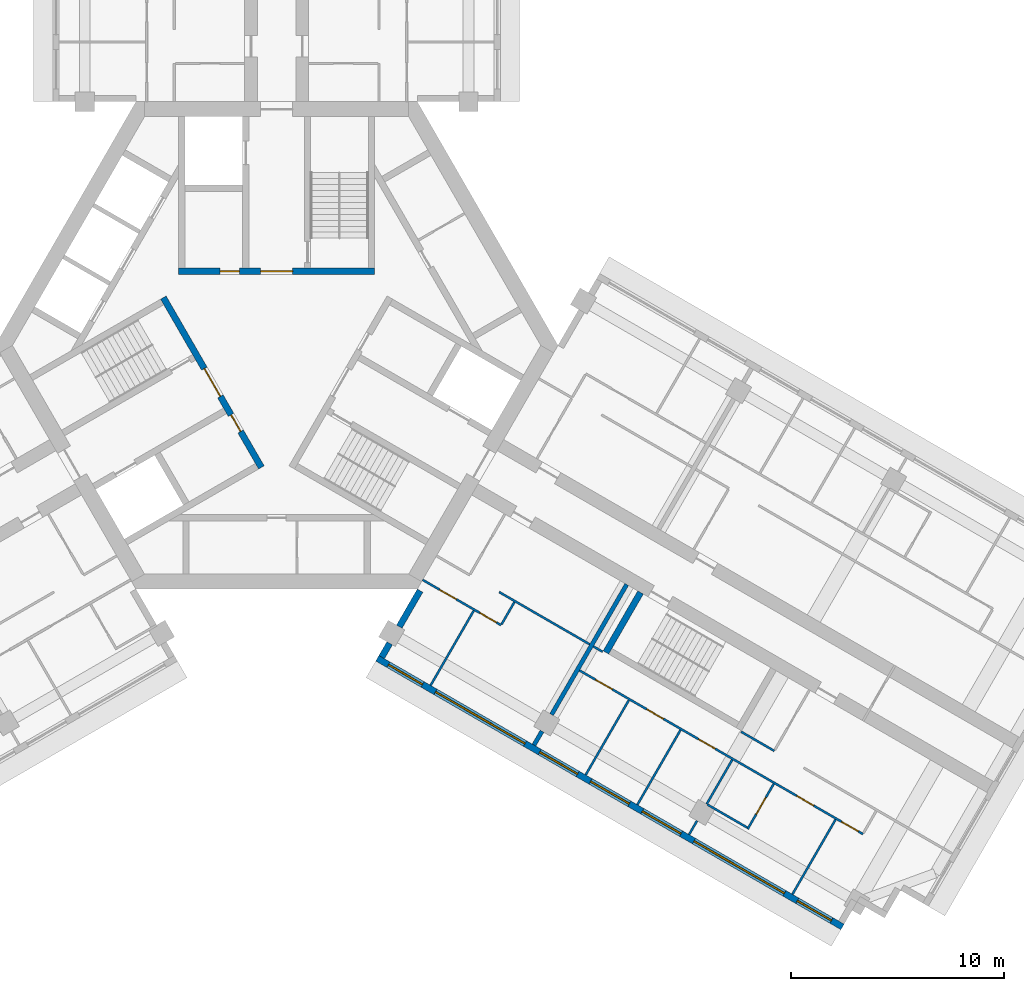
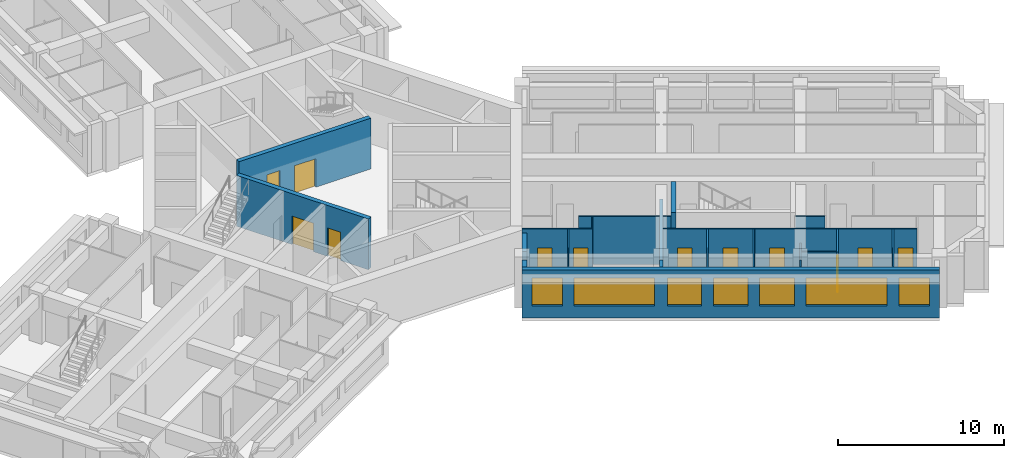
# One storey, part 4 of 10: 22 walls, 12 doors, 7 windows, 19 openings.
"""IFC4 building model written with IfcOpenShell, lengths in metres."""

from ifc_helpers import new_model, si_unit, direction, frame, frame_2d, origin, place, context, subcontext, project, spatial, rectangle, extrude, material, layer, layer_set, type_object, element, fill, save


model = new_model("IFC4")

# Units and contexts
model_context = context("Model", 3, precision=1e-05, world=origin(), true_north=direction((0.0, 1.0)))
body_context = subcontext(model_context, "Body", "Model", "MODEL_VIEW")
ifc_project = project(units=[si_unit("LENGTHUNIT", "METRE"), si_unit("AREAUNIT", "SQUARE_METRE"), si_unit("VOLUMEUNIT", "CUBIC_METRE"), si_unit("PLANEANGLEUNIT", "RADIAN"), si_unit("MASSUNIT", "GRAM", prefix="KILO")], contexts=[model_context])

# Site, building, storey
site_placement = place(None, origin())
site = spatial("IfcSite", under=ifc_project, at=site_placement, CompositionType="ELEMENT")
building_placement = place(site_placement, origin())
building = spatial("IfcBuilding", under=site, at=building_placement, Name="Impinga Residences", CompositionType="ELEMENT")
storey_placement = place(building_placement, frame((0.0, 0.0, 241.0)))
storey = spatial("IfcBuildingStorey", under=building, at=storey_placement, Name="L60", CompositionType="ELEMENT", Elevation=241.0)

# Wall, openings, windows
ifc_material_1 = material(Name="Terracotta rainscreen on blockwork", Category="masonry")
ifc_layer_1 = layer(ifc_material_1, 0.300048828125)
ifc_layer_set_1 = layer_set([ifc_layer_1], Name="EW1 external wall, terracotta rainscreen on blockwork 300")
wall_type_1 = type_object("IfcWallType", Name="EW1 external wall, terracotta rainscreen on blockwork 300", PredefinedType="SOLIDWALL", material=ifc_layer_set_1)
wall_1_placement = place(storey_placement, frame((26.548828125, -27.279052734375, 0.0), z_axis=(0.0, 0.0, 1.0), x_axis=(-0.866026832479, 0.499997525421, 0.0)))
wall_1 = element("IfcWall", 1, at=wall_1_placement, inside=storey, type_object=wall_type_1, Name="External wall EW1 L60", PredefinedType="SOLIDWALL", context=body_context, shape_type="SweptSolid", body=[
    extrude(rectangle(XDim=25.199951171875, YDim=0.300048828125, at=frame_2d((12.60009765625, 0.0))), origin(), (0.0, 0.0, 1.0), 3.530029296875),
])
opening_1_placement = place(wall_1_placement, frame((0.60009765625, 0.0, 0.89990234375)))
opening_1 = element("IfcOpeningElement", 2, at=opening_1_placement, cuts=wall_1, Name="Opening W15", PredefinedType="OPENING", context=body_context, shape_type="SweptSolid", body=[
    extrude(rectangle(XDim=1.85009765625, YDim=2.050048828125, at=frame_2d((0.925048828125, 1.02490234375))), frame((0.0, 0.159912109375, 0.0), z_axis=(0.0, -1.0, 0.0), x_axis=(1.0, 0.0, 0.0)), (0.0, 0.0, 1.0), 0.320068359375),
])
opening_2_placement = place(wall_1_placement, frame((3.14990234375, 0.0, 0.89990234375)))
opening_2 = element("IfcOpeningElement", 3, at=opening_2_placement, cuts=wall_1, Name="Opening W16", PredefinedType="OPENING", context=body_context, shape_type="SweptSolid", body=[
    extrude(rectangle(XDim=4.89990234375, YDim=2.050048828125, at=frame_2d((2.449951171875, 1.02490234375))), frame((0.0, 0.159912109375, 0.0), z_axis=(0.0, -1.0, 0.0), x_axis=(1.0, 0.0, 0.0)), (0.0, 0.0, 1.0), 0.320068359375),
])
opening_3_placement = place(wall_1_placement, frame((8.75, 0.0, 0.89990234375)))
opening_3 = element("IfcOpeningElement", 4, at=opening_3_placement, cuts=wall_1, Name="Opening W9", PredefinedType="OPENING", context=body_context, shape_type="SweptSolid", body=[
    extrude(rectangle(XDim=2.10009765625, YDim=2.050048828125, at=frame_2d((1.050048828125, 1.02490234375))), frame((0.0, 0.159912109375, 0.0), z_axis=(0.0, -1.0, 0.0), x_axis=(1.0, 0.0, 0.0)), (0.0, 0.0, 1.0), 0.320068359375),
])
opening_4_placement = place(wall_1_placement, frame((11.550048828125, 0.0, 0.89990234375)))
opening_4 = element("IfcOpeningElement", 5, at=opening_4_placement, cuts=wall_1, Name="Opening W9", PredefinedType="OPENING", context=body_context, shape_type="SweptSolid", body=[
    extrude(rectangle(XDim=2.10009765625, YDim=2.050048828125, at=frame_2d((1.050048828125, 1.02490234375))), frame((0.0, 0.159912109375, 0.0), z_axis=(0.0, -1.0, 0.0), x_axis=(1.0, 0.0, 0.0)), (0.0, 0.0, 1.0), 0.320068359375),
])
opening_5_placement = place(wall_1_placement, frame((14.35009765625, 0.0, 0.89990234375)))
opening_5 = element("IfcOpeningElement", 6, at=opening_5_placement, cuts=wall_1, Name="Opening W14", PredefinedType="OPENING", context=body_context, shape_type="SweptSolid", body=[
    extrude(rectangle(XDim=2.050048828125, YDim=2.050048828125, at=frame_2d((1.02490234375, 1.02490234375))), frame((0.0, 0.159912109375, 0.0), z_axis=(0.0, -1.0, 0.0), x_axis=(1.0, 0.0, 0.0)), (0.0, 0.0, 1.0), 0.320068359375),
])
opening_6_placement = place(wall_1_placement, frame((17.199951171875, 0.0, 0.89990234375)))
opening_6 = element("IfcOpeningElement", 7, at=opening_6_placement, cuts=wall_1, Name="Opening W6", PredefinedType="OPENING", context=body_context, shape_type="SweptSolid", body=[
    extrude(rectangle(XDim=4.85009765625, YDim=2.050048828125, at=frame_2d((2.425048828125, 1.02490234375))), frame((0.0, 0.159912109375, 0.0), z_axis=(0.0, -1.0, 0.0), x_axis=(1.0, 0.0, 0.0)), (0.0, 0.0, 1.0), 0.320068359375),
])
opening_7_placement = place(wall_1_placement, frame((22.75, 0.0, 0.89990234375)))
opening_7 = element("IfcOpeningElement", 8, at=opening_7_placement, cuts=wall_1, Name="Opening W15", PredefinedType="OPENING", context=body_context, shape_type="SweptSolid", body=[
    extrude(rectangle(XDim=1.85009765625, YDim=2.050048828125, at=frame_2d((0.925048828125, 1.02490234375))), frame((0.0, 0.159912109375, 0.0), z_axis=(0.0, -1.0, 0.0), x_axis=(1.0, 0.0, 0.0)), (0.0, 0.0, 1.0), 0.320068359375),
])
ifc_material_2 = material(Name="Aluminium window, clear double glazing", Category="aluminium")
window_type_1 = type_object("IfcWindowType", Name="W14 ribbon window 2050x2050", PartitioningType="SINGLE_PANEL", PredefinedType="WINDOW", material=ifc_material_2)
window_1_placement = place(opening_5_placement, origin())
window_1 = element("IfcWindow", 9, at=window_1_placement, inside=storey, type_object=window_type_1, Name="Window L60", OverallHeight=2.050048828125, OverallWidth=2.050048828125, PartitioningType="SINGLE_PANEL", PredefinedType="WINDOW", context=body_context, shape_type="SweptSolid", body=[
    extrude(rectangle(XDim=2.050048828125, YDim=2.050048828125, at=frame_2d((1.02490234375, 1.02490234375))), frame((0.0, 0.030029296875, 0.0), z_axis=(0.0, -1.0, 0.0), x_axis=(1.0, 0.0, 0.0)), (0.0, 0.0, 1.0), 0.06005859375),
])
fill(opening_5, window_1)
window_type_2 = type_object("IfcWindowType", Name="W15 ribbon window 1850x2050", PartitioningType="SINGLE_PANEL", PredefinedType="WINDOW", material=ifc_material_2)
window_2_placement = place(opening_1_placement, origin())
window_2 = element("IfcWindow", 10, at=window_2_placement, inside=storey, type_object=window_type_2, Name="Window L60", OverallHeight=2.050048828125, OverallWidth=1.85009765625, PartitioningType="SINGLE_PANEL", PredefinedType="WINDOW", context=body_context, shape_type="SweptSolid", body=[
    extrude(rectangle(XDim=1.85009765625, YDim=2.050048828125, at=frame_2d((0.925048828125, 1.02490234375))), frame((0.0, 0.030029296875, 0.0), z_axis=(0.0, -1.0, 0.0), x_axis=(1.0, 0.0, 0.0)), (0.0, 0.0, 1.0), 0.06005859375),
])
fill(opening_1, window_2)
window_3_placement = place(opening_7_placement, origin())
window_3 = element("IfcWindow", 11, at=window_3_placement, inside=storey, type_object=window_type_2, Name="Window L60", OverallHeight=2.050048828125, OverallWidth=1.85009765625, PartitioningType="SINGLE_PANEL", PredefinedType="WINDOW", context=body_context, shape_type="SweptSolid", body=[
    extrude(rectangle(XDim=1.85009765625, YDim=2.050048828125, at=frame_2d((0.925048828125, 1.02490234375))), frame((0.0, 0.030029296875, 0.0), z_axis=(0.0, -1.0, 0.0), x_axis=(1.0, 0.0, 0.0)), (0.0, 0.0, 1.0), 0.06005859375),
])
fill(opening_7, window_3)
window_type_3 = type_object("IfcWindowType", Name="W16 ribbon window 4900x2050", PartitioningType="SINGLE_PANEL", PredefinedType="WINDOW", material=ifc_material_2)
window_4_placement = place(opening_2_placement, origin())
window_4 = element("IfcWindow", 12, at=window_4_placement, inside=storey, type_object=window_type_3, Name="Window L60", OverallHeight=2.050048828125, OverallWidth=4.89990234375, PartitioningType="SINGLE_PANEL", PredefinedType="WINDOW", context=body_context, shape_type="SweptSolid", body=[
    extrude(rectangle(XDim=4.89990234375, YDim=2.050048828125, at=frame_2d((2.449951171875, 1.02490234375))), frame((0.0, 0.030029296875, 0.0), z_axis=(0.0, -1.0, 0.0), x_axis=(1.0, 0.0, 0.0)), (0.0, 0.0, 1.0), 0.06005859375),
])
fill(opening_2, window_4)
window_type_4 = type_object("IfcWindowType", Name="W6 ribbon window 4850x2050", PartitioningType="SINGLE_PANEL", PredefinedType="WINDOW", material=ifc_material_2)
window_5_placement = place(opening_6_placement, origin())
window_5 = element("IfcWindow", 13, at=window_5_placement, inside=storey, type_object=window_type_4, Name="Window L60", OverallHeight=2.050048828125, OverallWidth=4.85009765625, PartitioningType="SINGLE_PANEL", PredefinedType="WINDOW", context=body_context, shape_type="SweptSolid", body=[
    extrude(rectangle(XDim=4.85009765625, YDim=2.050048828125, at=frame_2d((2.425048828125, 1.02490234375))), frame((0.0, 0.030029296875, 0.0), z_axis=(0.0, -1.0, 0.0), x_axis=(1.0, 0.0, 0.0)), (0.0, 0.0, 1.0), 0.06005859375),
])
fill(opening_6, window_5)
window_type_5 = type_object("IfcWindowType", Name="W9 ribbon window 2100x2050", PartitioningType="SINGLE_PANEL", PredefinedType="WINDOW", material=ifc_material_2)
window_6_placement = place(opening_3_placement, origin())
window_6 = element("IfcWindow", 14, at=window_6_placement, inside=storey, type_object=window_type_5, Name="Window L60", OverallHeight=2.050048828125, OverallWidth=2.10009765625, PartitioningType="SINGLE_PANEL", PredefinedType="WINDOW", context=body_context, shape_type="SweptSolid", body=[
    extrude(rectangle(XDim=2.10009765625, YDim=2.050048828125, at=frame_2d((1.050048828125, 1.02490234375))), frame((0.0, 0.030029296875, 0.0), z_axis=(0.0, -1.0, 0.0), x_axis=(1.0, 0.0, 0.0)), (0.0, 0.0, 1.0), 0.06005859375),
])
fill(opening_3, window_6)
window_7_placement = place(opening_4_placement, origin())
window_7 = element("IfcWindow", 15, at=window_7_placement, inside=storey, type_object=window_type_5, Name="Window L60", OverallHeight=2.050048828125, OverallWidth=2.10009765625, PartitioningType="SINGLE_PANEL", PredefinedType="WINDOW", context=body_context, shape_type="SweptSolid", body=[
    extrude(rectangle(XDim=2.10009765625, YDim=2.050048828125, at=frame_2d((1.050048828125, 1.02490234375))), frame((0.0, 0.030029296875, 0.0), z_axis=(0.0, -1.0, 0.0), x_axis=(1.0, 0.0, 0.0)), (0.0, 0.0, 1.0), 0.06005859375),
])
fill(opening_4, window_7)

# Walls
wall_2_placement = place(storey_placement, frame((4.929931640625, -14.624267578125, 0.0), z_axis=(0.0, 0.0, 1.0), x_axis=(0.499919672301, 0.866071776036, 0.0)))
element("IfcWall", 16, at=wall_2_placement, inside=storey, type_object=wall_type_1, Name="External wall EW1 L60", PredefinedType="SOLIDWALL", context=body_context, shape_type="SweptSolid", body=[
    extrude(rectangle(XDim=0.75, YDim=0.300048828125, at=frame_2d((0.375, 0.0))), origin(), (0.0, 0.0, 1.0), 3.530029296875),
])
wall_3_placement = place(storey_placement, frame((5.7548828125, -13.1953125, 0.0), z_axis=(0.0, 0.0, 1.0), x_axis=(0.500043961785, 0.866000020948, 0.0)))
element("IfcWall", 17, at=wall_3_placement, inside=storey, type_object=wall_type_1, Name="External wall EW1 L60", PredefinedType="SOLIDWALL", context=body_context, shape_type="SweptSolid", body=[
    extrude(rectangle(XDim=1.949951171875, YDim=0.300048828125, at=frame_2d((0.97509765625, 0.0))), origin(), (0.0, 0.0, 1.0), 3.530029296875),
])
ifc_material_3 = material(Name="Gypsum board on steel studs", Category="steel")
ifc_layer_2 = layer(ifc_material_3, 0.10009765625)
ifc_layer_set_2 = layer_set([ifc_layer_2], Name="Gypsum board on steel studs")
wall_type_2 = type_object("IfcWallType", Name="IP1 partition 100", PredefinedType="PARTITIONING", material=ifc_layer_set_2)
wall_4_placement = place(storey_placement, frame((10.444580078125, -11.57275390625, 0.0), z_axis=(0.0, 0.0, 1.0), x_axis=(0.866023786258, -0.500002801628, 0.0)))
element("IfcWall", 18, at=wall_4_placement, inside=storey, type_object=wall_type_2, Name="Partition L60-EF1:DIV1", PredefinedType="PARTITIONING", context=body_context, shape_type="SweptSolid", body=[
    extrude(rectangle(XDim=4.89990234375, YDim=0.10009765625, at=frame_2d((2.449951171875, 0.0))), origin(), (0.0, 0.0, 1.0), 3.530029296875),
])

# Wall, openings, doors
wall_5_placement = place(storey_placement, frame((6.85009765625, -10.99853515625, 0.0), z_axis=(0.0, 0.0, 1.0), x_axis=(0.866014341725, -0.50001915956, 0.0)))
wall_5 = element("IfcWall", 19, at=wall_5_placement, inside=storey, type_object=wall_type_2, Name="Partition L60-EF1:STRIP", PredefinedType="PARTITIONING", context=body_context, shape_type="SweptSolid", body=[
    extrude(rectangle(XDim=4.249755859375, YDim=0.10009765625, at=frame_2d((2.125, 0.0))), origin(), (0.0, 0.0, 1.0), 3.530029296875),
])
opening_8_placement = place(wall_5_placement, frame((0.925048828125, 0.0, 0.0)))
opening_8 = element("IfcOpeningElement", 20, at=opening_8_placement, cuts=wall_5, Name="Opening D2", PredefinedType="OPENING", context=body_context, shape_type="SweptSolid", body=[
    extrude(rectangle(XDim=0.89990234375, YDim=2.10009765625, at=frame_2d((0.449951171875, 1.050048828125))), frame((0.0, 0.06005859375, 0.0), z_axis=(0.0, -1.0, 0.0), x_axis=(1.0, 0.0, 0.0)), (0.0, 0.0, 1.0), 0.1201171875),
])
opening_9_placement = place(wall_5_placement, frame((3.10009765625, 0.0, 0.0)))
opening_9 = element("IfcOpeningElement", 21, at=opening_9_placement, cuts=wall_5, Name="Opening D2", PredefinedType="OPENING", context=body_context, shape_type="SweptSolid", body=[
    extrude(rectangle(XDim=0.89990234375, YDim=2.10009765625, at=frame_2d((0.449951171875, 1.050048828125))), frame((0.0, 0.06005859375, 0.0), z_axis=(0.0, -1.0, 0.0), x_axis=(1.0, 0.0, 0.0)), (0.0, 0.0, 1.0), 0.1201171875),
])
ifc_material_4 = material(Name="Timber door set", Category="wood")
door_type_1 = type_object("IfcDoorType", Name="D2 internal door 900x2100", OperationType="SINGLE_SWING_LEFT", PredefinedType="DOOR", material=ifc_material_4)
door_1_placement = place(opening_8_placement, origin())
door_1 = element("IfcDoor", 22, at=door_1_placement, inside=storey, type_object=door_type_1, Name="Apartment L60-EF1 room door", OperationType="SINGLE_SWING_LEFT", OverallHeight=2.10009765625, OverallWidth=0.89990234375, PredefinedType="DOOR", context=body_context, shape_type="SweptSolid", body=[
    extrude(rectangle(XDim=0.89990234375, YDim=2.10009765625, at=frame_2d((0.449951171875, 1.050048828125))), frame((0.0, 0.02490234375, 0.0), z_axis=(0.0, -1.0, 0.0), x_axis=(1.0, 0.0, 0.0)), (0.0, 0.0, 1.0), 0.050048828125),
])
fill(opening_8, door_1)
door_2_placement = place(opening_9_placement, origin())
door_2 = element("IfcDoor", 23, at=door_2_placement, inside=storey, type_object=door_type_1, Name="Apartment L60-EF1 room door", OperationType="SINGLE_SWING_RIGHT", OverallHeight=2.10009765625, OverallWidth=0.89990234375, PredefinedType="DOOR", context=body_context, shape_type="SweptSolid", body=[
    extrude(rectangle(XDim=0.89990234375, YDim=2.10009765625, at=frame_2d((0.449951171875, 1.050048828125))), frame((0.0, 0.02490234375, 0.0), z_axis=(0.0, -1.0, 0.0), x_axis=(1.0, 0.0, 0.0)), (0.0, 0.0, 1.0), 0.050048828125),
])
fill(opening_9, door_2)

# Walls
wall_6_placement = place(storey_placement, frame((11.155517578125, -12.041015625, 0.0), z_axis=(0.0, 0.0, 1.0), x_axis=(-0.499880961361, -0.866094119867, 0.0)))
element("IfcWall", 24, at=wall_6_placement, inside=storey, type_object=wall_type_2, Name="Partition L60-EF1:SE1", PredefinedType="PARTITIONING", context=body_context, shape_type="SweptSolid", body=[
    extrude(rectangle(XDim=1.199951171875, YDim=0.10009765625, at=frame_2d((0.60009765625, 0.0))), origin(), (0.0, 0.0, 1.0), 3.530029296875),
])
wall_7_placement = place(storey_placement, frame((9.249755859375, -12.44189453125, 0.0), z_axis=(0.0, 0.0, 1.0), x_axis=(-0.499990325971, -0.866030989016, 0.0)))
element("IfcWall", 25, at=wall_7_placement, inside=storey, type_object=wall_type_2, Name="Partition L60-EF1:OB1", PredefinedType="PARTITIONING", context=body_context, shape_type="SweptSolid", body=[
    extrude(rectangle(XDim=4.0498046875, YDim=0.10009765625, at=frame_2d((2.02490234375, 0.0))), origin(), (0.0, 0.0, 1.0), 3.530029296875),
])
wall_8_placement = place(storey_placement, frame((14.861328125, -14.122802734375, 0.0), z_axis=(0.0, 0.0, 1.0), x_axis=(0.865949687125, -0.500131122175, 0.0)))
element("IfcWall", 26, at=wall_8_placement, inside=storey, type_object=wall_type_2, Name="Partition L60-EF2:DIV0", PredefinedType="PARTITIONING", context=body_context, shape_type="SweptSolid", body=[
    extrude(rectangle(XDim=0.499755859375, YDim=0.10009765625, at=frame_2d((0.25, 0.0))), origin(), (0.0, 0.0, 1.0), 3.530029296875),
])
wall_9_placement = place(storey_placement, frame((21.789306640625, -18.122802734375, 0.0), z_axis=(0.0, 0.0, 1.0), x_axis=(0.866047807691, -0.499961193289, 0.0)))
element("IfcWall", 27, at=wall_9_placement, inside=storey, type_object=wall_type_2, Name="Partition L60-EF2:DIV1", PredefinedType="PARTITIONING", context=body_context, shape_type="SweptSolid", body=[
    extrude(rectangle(XDim=1.800048828125, YDim=0.10009765625, at=frame_2d((0.89990234375, 0.0))), origin(), (0.0, 0.0, 1.0), 3.530029296875),
])

# Wall, openings, doors
wall_10_placement = place(storey_placement, frame((14.211181640625, -15.24853515625, 0.0), z_axis=(0.0, 0.0, 1.0), x_axis=(0.866023490266, -0.500003314297, 0.0)))
wall_10 = element("IfcWall", 28, at=wall_10_placement, inside=storey, type_object=wall_type_2, Name="Partition L60-EF2:STRIP", PredefinedType="PARTITIONING", context=body_context, shape_type="SweptSolid", body=[
    extrude(rectangle(XDim=15.35009765625, YDim=0.10009765625, at=frame_2d((7.675048828125, 0.0))), origin(), (0.0, 0.0, 1.0), 3.530029296875),
])
opening_10_placement = place(wall_10_placement, frame((0.875, 0.0, 0.0)))
opening_10 = element("IfcOpeningElement", 29, at=opening_10_placement, cuts=wall_10, Name="Opening D2", PredefinedType="OPENING", context=body_context, shape_type="SweptSolid", body=[
    extrude(rectangle(XDim=0.89990234375, YDim=2.10009765625, at=frame_2d((0.449951171875, 1.050048828125))), frame((0.0, 0.06005859375, 0.0), z_axis=(0.0, -1.0, 0.0), x_axis=(1.0, 0.0, 0.0)), (0.0, 0.0, 1.0), 0.1201171875),
])
opening_11_placement = place(wall_10_placement, frame((3.64990234375, 0.0, 0.0)))
opening_11 = element("IfcOpeningElement", 30, at=opening_11_placement, cuts=wall_10, Name="Opening D2", PredefinedType="OPENING", context=body_context, shape_type="SweptSolid", body=[
    extrude(rectangle(XDim=0.89990234375, YDim=2.10009765625, at=frame_2d((0.449951171875, 1.050048828125))), frame((0.0, 0.06005859375, 0.0), z_axis=(0.0, -1.0, 0.0), x_axis=(1.0, 0.0, 0.0)), (0.0, 0.0, 1.0), 0.1201171875),
])
opening_12_placement = place(wall_10_placement, frame((6.449951171875, 0.0, 0.0)))
opening_12 = element("IfcOpeningElement", 31, at=opening_12_placement, cuts=wall_10, Name="Opening D2", PredefinedType="OPENING", context=body_context, shape_type="SweptSolid", body=[
    extrude(rectangle(XDim=0.89990234375, YDim=2.10009765625, at=frame_2d((0.449951171875, 1.050048828125))), frame((0.0, 0.06005859375, 0.0), z_axis=(0.0, -1.0, 0.0), x_axis=(1.0, 0.0, 0.0)), (0.0, 0.0, 1.0), 0.1201171875),
])
opening_13_placement = place(wall_10_placement, frame((11.77490234375, 0.0, 0.0)))
opening_13 = element("IfcOpeningElement", 32, at=opening_13_placement, cuts=wall_10, Name="Opening D2", PredefinedType="OPENING", context=body_context, shape_type="SweptSolid", body=[
    extrude(rectangle(XDim=0.89990234375, YDim=2.10009765625, at=frame_2d((0.449951171875, 1.050048828125))), frame((0.0, 0.06005859375, 0.0), z_axis=(0.0, -1.0, 0.0), x_axis=(1.0, 0.0, 0.0)), (0.0, 0.0, 1.0), 0.1201171875),
])
opening_14_placement = place(wall_10_placement, frame((14.199951171875, 0.0, 0.0)))
opening_14 = element("IfcOpeningElement", 33, at=opening_14_placement, cuts=wall_10, Name="Opening D2", PredefinedType="OPENING", context=body_context, shape_type="SweptSolid", body=[
    extrude(rectangle(XDim=0.89990234375, YDim=2.10009765625, at=frame_2d((0.449951171875, 1.050048828125))), frame((0.0, 0.06005859375, 0.0), z_axis=(0.0, -1.0, 0.0), x_axis=(1.0, 0.0, 0.0)), (0.0, 0.0, 1.0), 0.1201171875),
])
door_3_placement = place(opening_10_placement, origin())
door_3 = element("IfcDoor", 34, at=door_3_placement, inside=storey, type_object=door_type_1, Name="Apartment L60-EF2 room door", OperationType="SINGLE_SWING_LEFT", OverallHeight=2.10009765625, OverallWidth=0.89990234375, PredefinedType="DOOR", context=body_context, shape_type="SweptSolid", body=[
    extrude(rectangle(XDim=0.89990234375, YDim=2.10009765625, at=frame_2d((0.449951171875, 1.050048828125))), frame((0.0, 0.02490234375, 0.0), z_axis=(0.0, -1.0, 0.0), x_axis=(1.0, 0.0, 0.0)), (0.0, 0.0, 1.0), 0.050048828125),
])
fill(opening_10, door_3)
door_4_placement = place(opening_11_placement, origin())
door_4 = element("IfcDoor", 35, at=door_4_placement, inside=storey, type_object=door_type_1, Name="Apartment L60-EF2 room door", OperationType="SINGLE_SWING_LEFT", OverallHeight=2.10009765625, OverallWidth=0.89990234375, PredefinedType="DOOR", context=body_context, shape_type="SweptSolid", body=[
    extrude(rectangle(XDim=0.89990234375, YDim=2.10009765625, at=frame_2d((0.449951171875, 1.050048828125))), frame((0.0, 0.02490234375, 0.0), z_axis=(0.0, -1.0, 0.0), x_axis=(1.0, 0.0, 0.0)), (0.0, 0.0, 1.0), 0.050048828125),
])
fill(opening_11, door_4)
door_5_placement = place(opening_12_placement, origin())
door_5 = element("IfcDoor", 36, at=door_5_placement, inside=storey, type_object=door_type_1, Name="Apartment L60-EF2 room door", OperationType="SINGLE_SWING_LEFT", OverallHeight=2.10009765625, OverallWidth=0.89990234375, PredefinedType="DOOR", context=body_context, shape_type="SweptSolid", body=[
    extrude(rectangle(XDim=0.89990234375, YDim=2.10009765625, at=frame_2d((0.449951171875, 1.050048828125))), frame((0.0, 0.02490234375, 0.0), z_axis=(0.0, -1.0, 0.0), x_axis=(1.0, 0.0, 0.0)), (0.0, 0.0, 1.0), 0.050048828125),
])
fill(opening_12, door_5)
door_6_placement = place(opening_13_placement, origin())
door_6 = element("IfcDoor", 37, at=door_6_placement, inside=storey, type_object=door_type_1, Name="Apartment L60-EF2 room door", OperationType="SINGLE_SWING_RIGHT", OverallHeight=2.10009765625, OverallWidth=0.89990234375, PredefinedType="DOOR", context=body_context, shape_type="SweptSolid", body=[
    extrude(rectangle(XDim=0.89990234375, YDim=2.10009765625, at=frame_2d((0.449951171875, 1.050048828125))), frame((0.0, 0.02490234375, 0.0), z_axis=(0.0, -1.0, 0.0), x_axis=(1.0, 0.0, 0.0)), (0.0, 0.0, 1.0), 0.050048828125),
])
fill(opening_13, door_6)
door_7_placement = place(opening_14_placement, origin())
door_7 = element("IfcDoor", 38, at=door_7_placement, inside=storey, type_object=door_type_1, Name="Apartment L60-EF2 room door", OperationType="SINGLE_SWING_RIGHT", OverallHeight=2.10009765625, OverallWidth=0.89990234375, PredefinedType="DOOR", context=body_context, shape_type="SweptSolid", body=[
    extrude(rectangle(XDim=0.89990234375, YDim=2.10009765625, at=frame_2d((0.449951171875, 1.050048828125))), frame((0.0, 0.02490234375, 0.0), z_axis=(0.0, -1.0, 0.0), x_axis=(1.0, 0.0, 0.0)), (0.0, 0.0, 1.0), 0.050048828125),
])
fill(opening_14, door_7)

# Walls
wall_11_placement = place(storey_placement, frame((16.5244140625, -16.641845703125, 0.0), z_axis=(0.0, 0.0, 1.0), x_axis=(-0.499990325971, -0.866030989016, 0.0)))
element("IfcWall", 39, at=wall_11_placement, inside=storey, type_object=wall_type_2, Name="Partition L60-EF2:OB1", PredefinedType="PARTITIONING", context=body_context, shape_type="SweptSolid", body=[
    extrude(rectangle(XDim=4.0498046875, YDim=0.10009765625, at=frame_2d((2.02490234375, 0.0))), origin(), (0.0, 0.0, 1.0), 3.530029296875),
])
wall_12_placement = place(storey_placement, frame((18.949462890625, -18.041748046875, 0.0), z_axis=(0.0, 0.0, 1.0), x_axis=(-0.50000943426, -0.866019956843, 0.0)))
element("IfcWall", 40, at=wall_12_placement, inside=storey, type_object=wall_type_2, Name="Partition L60-EF2:OB2", PredefinedType="PARTITIONING", context=body_context, shape_type="SweptSolid", body=[
    extrude(rectangle(XDim=4.05029296875, YDim=0.10009765625, at=frame_2d((2.025146484375, 0.0))), origin(), (0.0, 0.0, 1.0), 3.530029296875),
])
wall_13_placement = place(storey_placement, frame((21.374267578125, -19.44189453125, 0.0), z_axis=(0.0, 0.0, 1.0), x_axis=(-0.500001309137, -0.866024647952, 0.0)))
element("IfcWall", 41, at=wall_13_placement, inside=storey, type_object=wall_type_2, Name="Partition L60-EF2:OB3", PredefinedType="PARTITIONING", context=body_context, shape_type="SweptSolid", body=[
    extrude(rectangle(XDim=2.39990234375, YDim=0.10009765625, at=frame_2d((1.199951171875, 0.0))), origin(), (0.0, 0.0, 1.0), 2.47998046875),
])
wall_14_placement = place(storey_placement, frame((19.72412109375, -22.2998046875, 0.0), z_axis=(0.0, 0.0, 1.0), x_axis=(-0.500060622324, -0.86599040064, 0.0)))
element("IfcWall", 42, at=wall_14_placement, inside=storey, type_object=wall_type_2, Name="Partition L60-EF2:OB3b", PredefinedType="PARTITIONING", context=body_context, shape_type="SweptSolid", body=[
    extrude(rectangle(XDim=0.75, YDim=0.10009765625, at=frame_2d((0.375, 0.0))), origin(), (0.0, 0.0, 1.0), 3.530029296875),
])
wall_15_placement = place(storey_placement, frame((26.223876953125, -22.241943359375, 0.0), z_axis=(0.0, 0.0, 1.0), x_axis=(-0.499990325971, -0.866030989016, 0.0)))
element("IfcWall", 43, at=wall_15_placement, inside=storey, type_object=wall_type_2, Name="Partition L60-EF2:OB4", PredefinedType="PARTITIONING", context=body_context, shape_type="SweptSolid", body=[
    extrude(rectangle(XDim=4.0498046875, YDim=0.10009765625, at=frame_2d((2.02490234375, 0.0))), origin(), (0.0, 0.0, 1.0), 3.530029296875),
])

# Wall, opening, door
wall_16_placement = place(storey_placement, frame((23.32275390625, -20.56689453125, 0.0), z_axis=(0.0, 0.0, 1.0), x_axis=(-0.499987006516, -0.866032905446, 0.0)))
wall_16 = element("IfcWall", 44, at=wall_16_placement, inside=storey, type_object=wall_type_2, Name="Partition L60-EF2:EN1", PredefinedType="PARTITIONING", context=body_context, shape_type="SweptSolid", body=[
    extrude(rectangle(XDim=2.44970703125, YDim=0.10009765625, at=frame_2d((1.224853515625, 0.0))), origin(), (0.0, 0.0, 1.0), 3.530029296875),
])
opening_15_placement = place(wall_16_placement, frame((0.75, 0.0, 0.0)))
opening_15 = element("IfcOpeningElement", 45, at=opening_15_placement, cuts=wall_16, Name="Opening D2", PredefinedType="OPENING", context=body_context, shape_type="SweptSolid", body=[
    extrude(rectangle(XDim=0.89990234375, YDim=2.10009765625, at=frame_2d((0.449951171875, 1.050048828125))), frame((0.0, 0.06005859375, 0.0), z_axis=(0.0, -1.0, 0.0), x_axis=(1.0, 0.0, 0.0)), (0.0, 0.0, 1.0), 0.1201171875),
])
door_8_placement = place(opening_15_placement, origin())
door_8 = element("IfcDoor", 46, at=door_8_placement, inside=storey, type_object=door_type_1, Name="Apartment L60-EF2 en-suite door", OperationType="SINGLE_SWING_LEFT", OverallHeight=2.10009765625, OverallWidth=0.89990234375, PredefinedType="DOOR", context=body_context, shape_type="SweptSolid", body=[
    extrude(rectangle(XDim=0.89990234375, YDim=2.10009765625, at=frame_2d((0.449951171875, 1.050048828125))), frame((0.0, 0.02490234375, 0.0), z_axis=(0.0, -1.0, 0.0), x_axis=(1.0, 0.0, 0.0)), (0.0, 0.0, 1.0), 0.050048828125),
])
fill(opening_15, door_8)

# Walls
wall_17_placement = place(storey_placement, frame((20.217529296875, -21.545166015625, 0.0), z_axis=(0.0, 0.0, 1.0), x_axis=(0.865998386012, -0.500046793234, 0.0)))
element("IfcWall", 47, at=wall_17_placement, inside=storey, type_object=wall_type_2, Name="Partition L60-EF2:EN2", PredefinedType="PARTITIONING", context=body_context, shape_type="SweptSolid", body=[
    extrude(rectangle(XDim=2.150146484375, YDim=0.10009765625, at=frame_2d((1.0751953125, 0.0))), origin(), (0.0, 0.0, 1.0), 3.530029296875),
])
ifc_material_5 = material(Name="Concrete blockwork", Category="masonry")
ifc_layer_3 = layer(ifc_material_5, 0.199951171875)
ifc_layer_set_3 = layer_set([ifc_layer_3], Name="PW1 party wall between apartments 200")
wall_type_3 = type_object("IfcWallType", Name="PW1 party wall between apartments 200", PredefinedType="SOLIDWALL", material=ifc_layer_set_3)
wall_18_placement = place(storey_placement, frame((16.424560546875, -11.21484375, 0.0), z_axis=(0.0, 0.0, 1.0), x_axis=(-0.499990246421, -0.866031034943, 0.0)))
element("IfcWall", 48, at=wall_18_placement, inside=storey, type_object=wall_type_3, Name="Party wall between apartments L60-EF1:PARTY", PredefinedType="SOLIDWALL", context=body_context, shape_type="SweptSolid", body=[
    extrude(rectangle(XDim=7.050048828125, YDim=0.199951171875, at=frame_2d((3.52490234375, 0.0))), origin(), (0.0, 0.0, 1.0), 2.47998046875),
])
wall_19_placement = place(storey_placement, frame((12.44970703125, -18.099609375, 0.0), z_axis=(0.0, 0.0, 1.0), x_axis=(-0.499919672301, -0.866071776036, 0.0)))
element("IfcWall", 49, at=wall_19_placement, inside=storey, type_object=wall_type_3, Name="Party wall between apartments L60-EF1:PARTYb", PredefinedType="SOLIDWALL", context=body_context, shape_type="SweptSolid", body=[
    extrude(rectangle(XDim=0.75, YDim=0.199951171875, at=frame_2d((0.375, 0.0))), origin(), (0.0, 0.0, 1.0), 3.530029296875),
])
ifc_material_6 = material(Name="Concrete C60/75", Category="concrete")
ifc_layer_4 = layer(ifc_material_6, 0.300048828125)
ifc_layer_set_4 = layer_set([ifc_layer_4], Name="Concrete C60/75")
wall_type_4 = type_object("IfcWallType", Name="SE1 wing stair enclosure wall 300", PredefinedType="SOLIDWALL", material=ifc_layer_set_4)
wall_20_placement = place(storey_placement, frame((17.07421875, -11.58984375, 0.0), z_axis=(0.0, 0.0, 1.0), x_axis=(-0.500017246033, -0.866015446554, 0.0)))
element("IfcWall", 50, at=wall_20_placement, inside=storey, type_object=wall_type_4, Name="Stair enclosure wall SE1 E END0 L60", PredefinedType="SOLIDWALL", context=body_context, shape_type="SweptSolid", body=[
    extrude(rectangle(XDim=3.25, YDim=0.300048828125, at=frame_2d((1.625, 0.0))), origin(), (0.0, 0.0, 1.0), 3.75),
])

# Wall, openings, doors
ifc_material_7 = material(Name="Concrete C70/85", Category="concrete")
ifc_layer_5 = layer(ifc_material_7, 0.300048828125)
ifc_layer_set_5 = layer_set([ifc_layer_5], Name="Concrete C70/85")
wall_type_5 = type_object("IfcWallType", Name="SW5 core inner wall, stairs, shafts and lobbies 300", PredefinedType="SHEAR", material=ifc_layer_set_5)
wall_21_placement = place(storey_placement, frame((-4.60009765625, 3.47998046875, 0.0), z_axis=(0.0, 0.0, 1.0), x_axis=(1.0, 0.0, 0.0)))
wall_21 = element("IfcWall", 51, at=wall_21_placement, inside=storey, type_object=wall_type_5, Name="Core wall SW5 N:ZONE L60", PredefinedType="SHEAR", context=body_context, shape_type="SweptSolid", body=[
    extrude(rectangle(XDim=9.2001953125, YDim=0.300048828125, at=frame_2d((4.60009765625, 0.0))), origin(), (0.0, 0.0, 1.0), 3.75),
])
opening_16_placement = place(wall_21_placement, frame((3.85009765625, 0.0, 0.0)))
opening_16 = element("IfcOpeningElement", 52, at=opening_16_placement, cuts=wall_21, Name="Opening D4", PredefinedType="OPENING", context=body_context, shape_type="SweptSolid", body=[
    extrude(rectangle(XDim=1.5, YDim=2.10009765625, at=frame_2d((0.75, 1.050048828125))), frame((0.0, 0.159912109375, 0.0), z_axis=(0.0, -1.0, 0.0), x_axis=(1.0, 0.0, 0.0)), (0.0, 0.0, 1.0), 0.320068359375),
])
opening_17_placement = place(wall_21_placement, frame((1.949951171875, 0.0, 0.0)))
opening_17 = element("IfcOpeningElement", 53, at=opening_17_placement, cuts=wall_21, Name="Opening D6", PredefinedType="OPENING", context=body_context, shape_type="SweptSolid", body=[
    extrude(rectangle(XDim=0.89990234375, YDim=2.10009765625, at=frame_2d((0.449951171875, 1.050048828125))), frame((0.0, 0.159912109375, 0.0), z_axis=(0.0, -1.0, 0.0), x_axis=(1.0, 0.0, 0.0)), (0.0, 0.0, 1.0), 0.320068359375),
])
door_type_2 = type_object("IfcDoorType", Name="D4 lobby door pair 1500x2100", OperationType="DOUBLE_DOOR_DOUBLE_SWING", PredefinedType="DOOR", material=ifc_material_4)
door_9_placement = place(opening_16_placement, origin())
door_9 = element("IfcDoor", 54, at=door_9_placement, inside=storey, type_object=door_type_2, Name="Firefighting lobby door N", OperationType="DOUBLE_DOOR_DOUBLE_SWING", OverallHeight=2.10009765625, OverallWidth=1.5, PredefinedType="DOOR", context=body_context, shape_type="SweptSolid", body=[
    extrude(rectangle(XDim=1.5, YDim=2.10009765625, at=frame_2d((0.75, 1.050048828125))), frame((0.0, 0.02490234375, 0.0), z_axis=(0.0, -1.0, 0.0), x_axis=(1.0, 0.0, 0.0)), (0.0, 0.0, 1.0), 0.050048828125),
])
fill(opening_16, door_9)
door_type_3 = type_object("IfcDoorType", Name="D6 riser and store door 900x2100", OperationType="SINGLE_SWING_LEFT", PredefinedType="DOOR", material=ifc_material_4)
door_10_placement = place(opening_17_placement, origin())
door_10 = element("IfcDoor", 55, at=door_10_placement, inside=storey, type_object=door_type_3, Name="Riser door N", OperationType="SINGLE_SWING_LEFT", OverallHeight=2.10009765625, OverallWidth=0.89990234375, PredefinedType="DOOR", context=body_context, shape_type="SweptSolid", body=[
    extrude(rectangle(XDim=0.89990234375, YDim=2.10009765625, at=frame_2d((0.449951171875, 1.050048828125))), frame((0.0, 0.02490234375, 0.0), z_axis=(0.0, -1.0, 0.0), x_axis=(1.0, 0.0, 0.0)), (0.0, 0.0, 1.0), 0.050048828125),
])
fill(opening_17, door_10)

wall_22_placement = place(storey_placement, frame((-0.7138671875, -5.7236328125, 0.0), z_axis=(0.0, 0.0, 1.0), x_axis=(-0.499995050369, 0.866028261437, 0.0)))
wall_22 = element("IfcWall", 56, at=wall_22_placement, inside=storey, type_object=wall_type_5, Name="Core wall SW5 W:ZONE L60", PredefinedType="SHEAR", context=body_context, shape_type="SweptSolid", body=[
    extrude(rectangle(XDim=9.19970703125, YDim=0.300048828125, at=frame_2d((4.599853515625, 0.0))), origin(), (0.0, 0.0, 1.0), 3.75),
])
opening_18_placement = place(wall_22_placement, frame((3.85009765625, 0.0, 0.0)))
opening_18 = element("IfcOpeningElement", 57, at=opening_18_placement, cuts=wall_22, Name="Opening D4", PredefinedType="OPENING", context=body_context, shape_type="SweptSolid", body=[
    extrude(rectangle(XDim=1.5, YDim=2.10009765625, at=frame_2d((0.75, 1.050048828125))), frame((0.0, 0.159912109375, 0.0), z_axis=(0.0, -1.0, 0.0), x_axis=(1.0, 0.0, 0.0)), (0.0, 0.0, 1.0), 0.320068359375),
])
opening_19_placement = place(wall_22_placement, frame((1.949951171875, 0.0, 0.0)))
opening_19 = element("IfcOpeningElement", 58, at=opening_19_placement, cuts=wall_22, Name="Opening D6", PredefinedType="OPENING", context=body_context, shape_type="SweptSolid", body=[
    extrude(rectangle(XDim=0.89990234375, YDim=2.10009765625, at=frame_2d((0.449951171875, 1.050048828125))), frame((0.0, 0.159912109375, 0.0), z_axis=(0.0, -1.0, 0.0), x_axis=(1.0, 0.0, 0.0)), (0.0, 0.0, 1.0), 0.320068359375),
])
door_11_placement = place(opening_18_placement, origin())
door_11 = element("IfcDoor", 59, at=door_11_placement, inside=storey, type_object=door_type_2, Name="Firefighting lobby door W", OperationType="DOUBLE_DOOR_DOUBLE_SWING", OverallHeight=2.10009765625, OverallWidth=1.5, PredefinedType="DOOR", context=body_context, shape_type="SweptSolid", body=[
    extrude(rectangle(XDim=1.5, YDim=2.10009765625, at=frame_2d((0.75, 1.050048828125))), frame((0.0, 0.02490234375, 0.0), z_axis=(0.0, -1.0, 0.0), x_axis=(1.0, 0.0, 0.0)), (0.0, 0.0, 1.0), 0.050048828125),
])
fill(opening_18, door_11)
door_12_placement = place(opening_19_placement, origin())
door_12 = element("IfcDoor", 60, at=door_12_placement, inside=storey, type_object=door_type_3, Name="Riser door W", OperationType="SINGLE_SWING_LEFT", OverallHeight=2.10009765625, OverallWidth=0.89990234375, PredefinedType="DOOR", context=body_context, shape_type="SweptSolid", body=[
    extrude(rectangle(XDim=0.89990234375, YDim=2.10009765625, at=frame_2d((0.449951171875, 1.050048828125))), frame((0.0, 0.02490234375, 0.0), z_axis=(0.0, -1.0, 0.0), x_axis=(1.0, 0.0, 0.0)), (0.0, 0.0, 1.0), 0.050048828125),
])
fill(opening_19, door_12)

save(model, "model.ifc")
